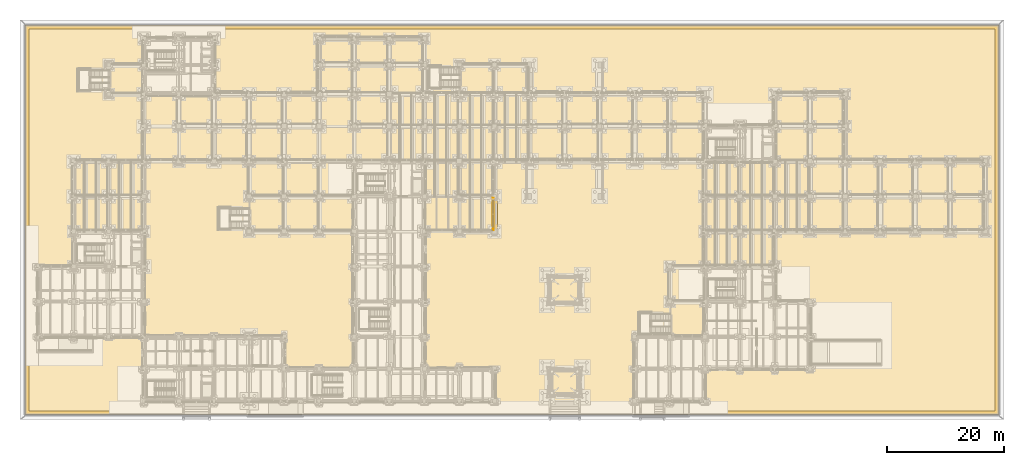
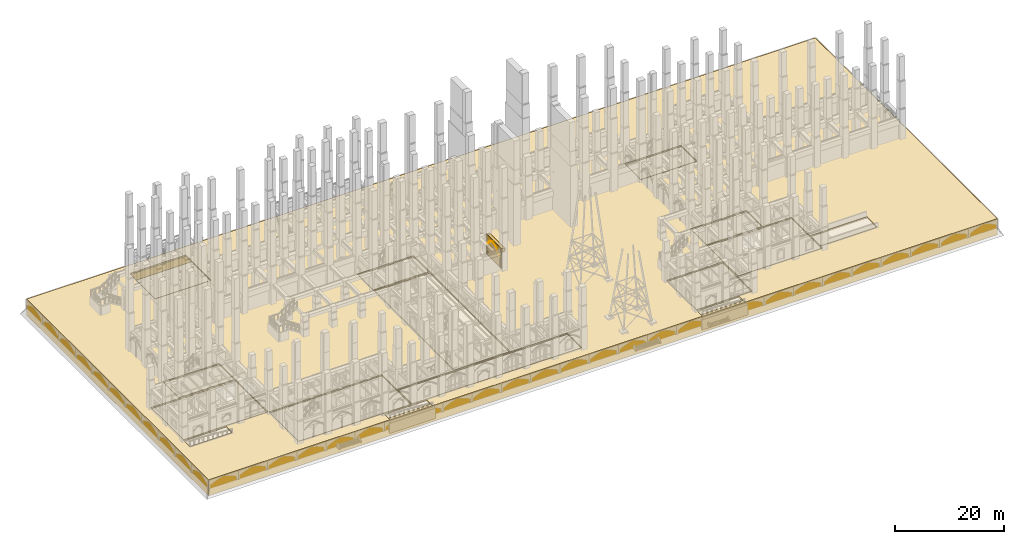
# One storey, part 110 of 135: 8 coverings.
"""IFC4 building model written with IfcOpenShell, lengths in metres."""

from ifc_helpers import new_model, si_unit, direction, frame, origin, origin_2d, place, context, subcontext, project, spatial, polyline, rectangle, outline, extrude, material, type_object, element, save


model = new_model("IFC4")

# Units and contexts
model_context = context("Model", 3, precision=1e-05, world=origin(), true_north=direction((0.0, 1.0)))
body_context = subcontext(model_context, "Body", "Model", "MODEL_VIEW")
ifc_project = project(units=[si_unit("LENGTHUNIT", "METRE"), si_unit("AREAUNIT", "SQUARE_METRE"), si_unit("VOLUMEUNIT", "CUBIC_METRE"), si_unit("PLANEANGLEUNIT", "RADIAN"), si_unit("MASSUNIT", "GRAM", prefix="KILO")], contexts=[model_context])

# Site, building, storey
site_placement = place(None, origin())
site = spatial("IfcSite", under=ifc_project, at=site_placement, CompositionType="ELEMENT")
building_placement = place(site_placement, origin())
building = spatial("IfcBuilding", under=site, at=building_placement, Name="Cumevento Cable Car Station", CompositionType="ELEMENT")
storey_placement = place(building_placement, origin())
storey = spatial("IfcBuildingStorey", under=building, at=storey_placement, Name="L01", CompositionType="ELEMENT", Elevation=0.0)

# Coverings
ifc_material = material(Name="Gnaisse Facoidal Stone Ashlar 85 MPa", Category="masonry")
covering_type = type_object("IfcCoveringType", Name="Gnaisse Ashlar Cladding CV-CL01", PredefinedType="CLADDING", material=ifc_material)
covering_1_placement = place(storey_placement, frame((82.14990234375, 36.012451171875, 3.64306640625), z_axis=(0.0, 0.0, 1.0), x_axis=(0.0, 1.0, 0.0)))
element("IfcCovering", 1, at=covering_1_placement, inside=storey, type_object=covering_type, Name="Gothic Stone Spandrel Stringcourse sc:0052", PredefinedType="CLADDING", context=body_context, shape_type="SweptSolid", body=[
    extrude(rectangle(XDim=5.465087890625, YDim=0.659912109375, at=origin_2d()), origin(), (0.0, 0.0, 1.0), 0.7470703125),
])
covering_2_placement = place(storey_placement, frame((81.79248046875, 36.012451171875, 4.260009765625), z_axis=(0.0, 0.0, 1.0), x_axis=(0.0, 1.0, 0.0)))
element("IfcCovering", 2, at=covering_2_placement, inside=storey, type_object=covering_type, Name="Gothic Cornice Dripstone Lip sc:0052", PredefinedType="CLADDING", context=body_context, shape_type="SweptSolid", body=[
    extrude(rectangle(XDim=5.5048828125, YDim=0.114990234375, at=origin_2d()), origin(), (0.0, 0.0, 1.0), 0.1298828125),
])
covering_3_placement = place(storey_placement, frame((82.0, 33.39990234375, 0.0), z_axis=(0.0, 0.0, 1.0), x_axis=(0.0, 1.0, 0.0)))
element("IfcCovering", 3, at=covering_3_placement, inside=storey, type_object=covering_type, Name="Exterior Gnaisse Stone Wall Ashlar #3", PredefinedType="CLADDING", context=body_context, shape_type="SweptSolid", body=[
    extrude(outline(polyline([(-0.0400390625, -0.02001953125), (5.264892578125, -0.02001953125), (5.264892578125, 4.52001953125), (-0.0400390625, 4.52001953125), (-0.0400390625, -0.02001953125)])), frame((0.0, 0.25, 0.0), z_axis=(0.0, -1.0, 0.0), x_axis=(1.0, 0.0, 0.0)), (0.0, 0.0, 1.0), 0.0849609375),
])
covering_4_placement = place(storey_placement, frame((82.0, 33.580078125, 0.300048828125), z_axis=(0.0, 0.0, 1.0), x_axis=(0.0, 1.0, 0.0)))
element("IfcCovering", 4, at=covering_4_placement, inside=storey, type_object=covering_type, Name="Gothic Ogival Pointed-Arch Stone Spandrel blind_ogival:0003", PredefinedType="CLADDING", context=body_context, shape_type="SweptSolid", body=[
    extrude(outline(polyline([(-0.050048828125, 0.0), (-0.050048828125, 4.239990234375), (4.9150390625, 4.239990234375), (4.9150390625, 0.0), (4.60498046875, 0.0), (4.60498046875, 2.219970703125), (4.37158203125, 2.556884765625), (4.1083984375, 2.87109375), (3.81787109375, 3.159912109375), (3.50244140625, 3.42138671875), (3.16455078125, 3.653076171875), (2.806884765625, 3.853271484375), (2.4326171875, 4.02001953125), (2.05810546875, 3.853271484375), (1.700439453125, 3.653076171875), (1.362548828125, 3.42138671875), (1.047119140625, 3.159912109375), (0.756591796875, 2.87109375), (0.493408203125, 2.556884765625), (0.260009765625, 2.219970703125), (0.260009765625, 0.0), (-0.050048828125, 0.0)])), frame((0.0, 0.304931640625, 0.0), z_axis=(0.0, -1.0, 0.0), x_axis=(1.0, 0.0, 0.0)), (0.0, 0.0, 1.0), 0.110107421875),
])
covering_5_placement = place(storey_placement, frame((82.0, 33.580078125, 2.52001953125), z_axis=(0.0, 0.0, 1.0), x_axis=(0.0, 1.0, 0.0)))
element("IfcCovering", 5, at=covering_5_placement, inside=storey, type_object=covering_type, Name="Gothic Pointed Archivolt Hood Moulding blind_ogival:0003", PredefinedType="CLADDING", context=body_context, shape_type="SweptSolid", body=[
    extrude(outline(polyline([(0.260009765625, 0.0), (0.493408203125, 0.3369140625), (0.756591796875, 0.651123046875), (1.047119140625, 0.93994140625), (1.362548828125, 1.201416015625), (1.700439453125, 1.43310546875), (2.05810546875, 1.63330078125), (2.4326171875, 1.800048828125), (2.806884765625, 1.63330078125), (3.16455078125, 1.43310546875), (3.50244140625, 1.201416015625), (3.81787109375, 0.93994140625), (4.1083984375, 0.651123046875), (4.37158203125, 0.3369140625), (4.60498046875, 0.0), (4.72607421875, 0.0), (4.483154296875, 0.3642578125), (4.207763671875, 0.704345703125), (3.902099609375, 1.017578125), (3.56884765625, 1.301025390625), (3.210693359375, 1.552734375), (2.830810546875, 1.77001953125), (2.4326171875, 1.951171875), (2.0341796875, 1.77001953125), (1.654296875, 1.552734375), (1.296142578125, 1.301025390625), (0.962890625, 1.017578125), (0.6572265625, 0.704345703125), (0.3818359375, 0.3642578125), (0.138916015625, 0.0), (0.260009765625, 0.0)])), frame((0.0, 0.346923828125, 0.0), z_axis=(0.0, -1.0, 0.0), x_axis=(1.0, 0.0, 0.0)), (0.0, 0.0, 1.0), 0.06689453125),
])
covering_6_placement = place(storey_placement, frame((0.0, 0.0, -3.52001953125)))
element("IfcCovering", 6, at=covering_6_placement, inside=storey, type_object=covering_type, Name="Watertight Gnaisse Bedrock Foundation Plinth Wall", PredefinedType="CLADDING", context=body_context, shape_type="SweptSolid", body=[
    extrude(outline(polyline([(1.64990234375, 1.64990234375), (1.64990234375, 68.35009765625), (168.35009765625, 68.35009765625), (168.35009765625, 1.64990234375), (1.64990234375, 1.64990234375)]), holes=[polyline([(167.699951171875, 67.699951171875), (2.300048828125, 67.699951171875), (2.300048828125, 2.300048828125), (167.699951171875, 2.300048828125), (167.699951171875, 67.699951171875)])]), origin(), (0.0, 0.0, 1.0), 3.51513671875),
])
covering_7_placement = place(storey_placement, frame((0.0, 0.0, -3.56005859375)))
element("IfcCovering", 7, at=covering_7_placement, inside=storey, type_object=covering_type, Name="Watertight Gnaisse Bedrock Plinth Base Plate", PredefinedType="CLADDING", context=body_context, shape_type="SweptSolid", body=[
    extrude(outline(polyline([(1.64990234375, 1.64990234375), (1.64990234375, 68.35009765625), (168.35009765625, 68.35009765625), (168.35009765625, 1.64990234375), (1.64990234375, 1.64990234375)])), origin(), (0.0, 0.0, 1.0), 0.18017578125),
])
covering_8_placement = place(storey_placement, frame((0.0, 0.0, -0.260009765625)))
element("IfcCovering", 8, at=covering_8_placement, inside=storey, type_object=covering_type, Name="Carioca Gnaisse Civic Forecourt & Ropeway Plaza #1", PredefinedType="CLADDING", context=body_context, shape_type="SweptSolid", body=[
    extrude(outline(polyline([(1.699951171875, 1.699951171875), (1.699951171875, 68.300048828125), (168.300048828125, 68.300048828125), (168.300048828125, 1.699951171875), (114.989990234375, 1.699951171875), (114.989990234375, 3.989990234375), (106.010009765625, 3.989990234375), (106.010009765625, 1.699951171875), (48.989990234375, 1.699951171875), (48.989990234375, 3.989990234375), (40.010009765625, 3.989990234375), (40.010009765625, 1.699951171875), (1.699951171875, 1.699951171875)]), holes=[polyline([(81.919921875, 9.419921875), (46.080078125, 9.419921875), (46.080078125, 4.080078125), (81.919921875, 4.080078125), (81.919921875, 9.419921875)]), polyline([(45.919921875, 14.919921875), (22.080078125, 14.919921875), (22.080078125, 4.080078125), (45.919921875, 4.080078125), (45.919921875, 14.919921875)]), polyline([(12.989990234375, 14.989990234375), (4.010009765625, 14.989990234375), (4.010009765625, 12.610107421875), (12.989990234375, 12.610107421875), (12.989990234375, 14.989990234375)]), polyline([(21.919921875, 26.919921875), (4.080078125, 26.919921875), (4.080078125, 15.080078125), (21.919921875, 15.080078125), (21.919921875, 26.919921875)]), polyline([(69.919921875, 38.919921875), (58.080078125, 38.919921875), (58.080078125, 9.580078125), (69.919921875, 9.580078125), (69.919921875, 38.919921875)]), polyline([(21.919921875, 32.919921875), (10.080078125, 32.919921875), (10.080078125, 27.080078125), (21.919921875, 27.080078125), (21.919921875, 32.919921875)]), polyline([(33.919921875, 65.919921875), (22.080078125, 65.919921875), (22.080078125, 56.580078125), (33.919921875, 56.580078125), (33.919921875, 65.919921875)]), polyline([(117.919921875, 14.919921875), (106.080078125, 14.919921875), (106.080078125, 4.080078125), (117.919921875, 4.080078125), (117.919921875, 14.919921875)]), polyline([(147.989990234375, 14.139892578125), (136.010009765625, 14.139892578125), (136.010009765625, 10.360107421875), (147.989990234375, 10.360107421875), (147.989990234375, 14.139892578125)]), polyline([(135.919921875, 20.919921875), (118.080078125, 20.919921875), (118.080078125, 9.580078125), (135.919921875, 9.580078125), (135.919921875, 20.919921875)]), polyline([(129.919921875, 26.919921875), (118.080078125, 26.919921875), (118.080078125, 21.080078125), (129.919921875, 21.080078125), (129.919921875, 26.919921875)]), polyline([(69.919921875, 44.919921875), (58.080078125, 44.919921875), (58.080078125, 39.080078125), (69.919921875, 39.080078125), (69.919921875, 44.919921875)]), polyline([(129.919921875, 50.919921875), (118.080078125, 50.919921875), (118.080078125, 45.080078125), (129.919921875, 45.080078125), (129.919921875, 50.919921875)])]), origin(), (0.0, 0.0, 1.0), 0.27197265625),
])

save(model, "model.ifc")
